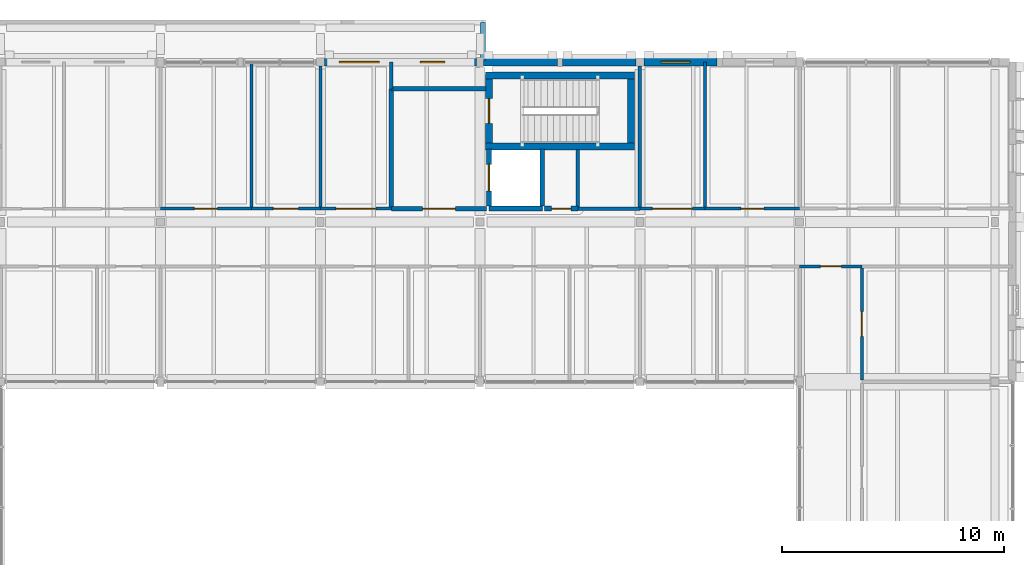
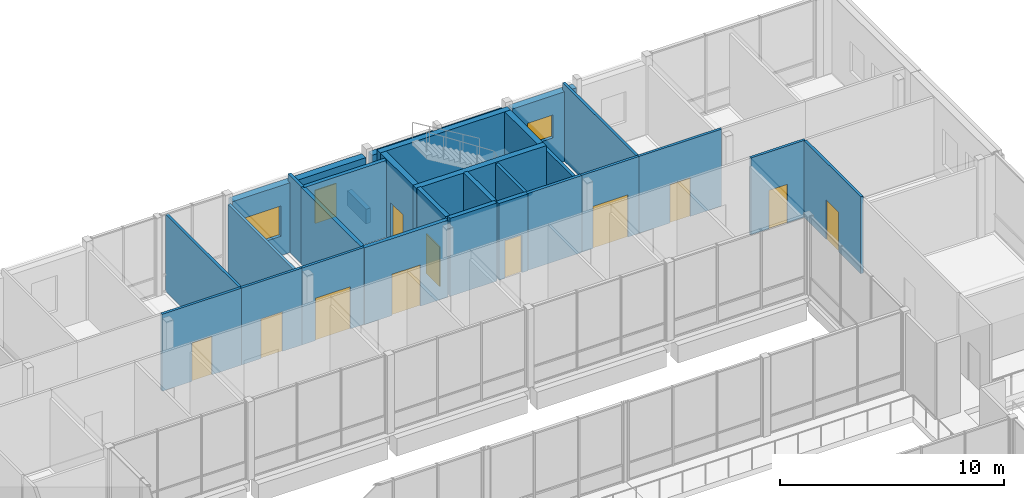
# One storey, part 111 of 146: 30 walls, 11 doors, 3 windows, 14 openings.
"""IFC4 building model written with IfcOpenShell, lengths in metres."""

from ifc_helpers import new_model, si_unit, direction, frame, frame_2d, origin, place, context, subcontext, project, spatial, rectangle, extrude, material, layer, layer_set, type_object, element, fill, save


model = new_model("IFC4")

# Units and contexts
model_context = context("Model", 3, precision=1e-05, world=origin(), true_north=direction((0.0, 1.0)))
body_context = subcontext(model_context, "Body", "Model", "MODEL_VIEW")
ifc_project = project(units=[si_unit("LENGTHUNIT", "METRE"), si_unit("AREAUNIT", "SQUARE_METRE"), si_unit("VOLUMEUNIT", "CUBIC_METRE"), si_unit("PLANEANGLEUNIT", "RADIAN"), si_unit("MASSUNIT", "GRAM", prefix="KILO")], contexts=[model_context])

# Site, building, storey
site_placement = place(None, origin())
site = spatial("IfcSite", under=ifc_project, at=site_placement, CompositionType="ELEMENT")
building_placement = place(site_placement, origin())
building = spatial("IfcBuilding", under=site, at=building_placement, Name="Hawrajan Terrace Health Centre", CompositionType="ELEMENT")
storey_placement = place(building_placement, frame((0.0, 0.0, 4.5)))
storey = spatial("IfcBuildingStorey", under=building, at=storey_placement, Name="L01", CompositionType="ELEMENT", Elevation=4.5)

# Wall, opening, door
ifc_material_1 = material(Name="Gypsum board on acoustic stud framing")
ifc_layer_1 = layer(ifc_material_1, 0.139892578125)
ifc_layer_set_1 = layer_set([ifc_layer_1], Name="Gypsum board on acoustic stud framing")
wall_type_1 = type_object("IfcWallType", Name="ClinicalAcousticWall_140", PredefinedType="PARTITIONING", material=ifc_layer_set_1)
wall_1_placement = place(storey_placement, frame((33.39990234375, 53.199951171875, 0.0), z_axis=(0.0, 0.0, 1.0), x_axis=(1.0, 0.0, 0.0)))
wall_1 = element("IfcWall", 1, at=wall_1_placement, inside=storey, type_object=wall_type_1, Name="Interior wall IW-L01-0585", PredefinedType="PARTITIONING", context=body_context, shape_type="SweptSolid", body=[
    extrude(rectangle(XDim=4.090087890625, YDim=0.139892578125, at=frame_2d((2.044921875, 0.0))), origin(), (0.0, 0.0, 1.0), 4.179931640625),
])
opening_1_placement = place(wall_1_placement, frame((1.52490234375, 0.0, 0.0)))
opening_1 = element("IfcOpeningElement", 2, at=opening_1_placement, cuts=wall_1, Name="Opening D-L01-325", PredefinedType="OPENING", context=body_context, shape_type="SweptSolid", body=[
    extrude(rectangle(XDim=1.0400390625, YDim=2.10009765625, at=frame_2d((0.52001953125, 1.050048828125))), frame((0.0, 0.079833984375, 0.0), z_axis=(0.0, -1.0, 0.0), x_axis=(1.0, 0.0, 0.0)), (0.0, 0.0, 1.0), 0.159912109375),
])
ifc_material_2 = material(Name="Hardwood acoustic clinical door leaf and frame", Category="wood")
door_type_1 = type_object("IfcDoorType", Name="ConsultDoor_1040x2100", OperationType="NOTDEFINED", PredefinedType="DOOR", material=ifc_material_2)
door_1_placement = place(opening_1_placement, origin())
door_1 = element("IfcDoor", 3, at=door_1_placement, inside=storey, type_object=door_type_1, Name="Interior door D-L01-325", OperationType="SINGLE_SWING_LEFT", OverallHeight=2.10009765625, OverallWidth=1.0400390625, PredefinedType="DOOR", context=body_context, shape_type="SweptSolid", body=[
    extrude(rectangle(XDim=1.0400390625, YDim=2.10009765625, at=frame_2d((0.52001953125, 1.050048828125))), frame((0.0, 0.02490234375, 0.0), z_axis=(0.0, -1.0, 0.0), x_axis=(1.0, 0.0, 0.0)), (0.0, 0.0, 1.0), 0.050048828125),
])
fill(opening_1, door_1)

# Wall
wall_2_placement = place(storey_placement, frame((37.489990234375, 53.27001953125, 0.0), z_axis=(0.0, 0.0, 1.0), x_axis=(0.0, 1.0, 0.0)))
element("IfcWall", 4, at=wall_2_placement, inside=storey, type_object=wall_type_1, Name="Interior wall IW-L01-0588", PredefinedType="PARTITIONING", context=body_context, shape_type="SweptSolid", body=[
    extrude(rectangle(XDim=6.530029296875, YDim=0.139892578125, at=frame_2d((3.26513671875, 0.0))), origin(), (0.0, 0.0, 1.0), 4.179931640625),
])

# Wall, opening, door
wall_3_placement = place(storey_placement, frame((37.489990234375, 53.199951171875, 0.0), z_axis=(0.0, 0.0, 1.0), x_axis=(1.0, 0.0, 0.0)))
wall_3 = element("IfcWall", 5, at=wall_3_placement, inside=storey, type_object=wall_type_1, Name="Interior wall IW-L01-0589", PredefinedType="PARTITIONING", context=body_context, shape_type="SweptSolid", body=[
    extrude(rectangle(XDim=3.110107421875, YDim=0.139892578125, at=frame_2d((1.55517578125, 0.0))), origin(), (0.0, 0.0, 1.0), 4.179931640625),
])
opening_2_placement = place(wall_3_placement, frame((0.9951171875, 0.0, 0.0)))
opening_2 = element("IfcOpeningElement", 6, at=opening_2_placement, cuts=wall_3, Name="Opening D-L01-326", PredefinedType="OPENING", context=body_context, shape_type="SweptSolid", body=[
    extrude(rectangle(XDim=1.1201171875, YDim=2.14990234375, at=frame_2d((0.56005859375, 1.074951171875))), frame((0.0, 0.079833984375, 0.0), z_axis=(0.0, -1.0, 0.0), x_axis=(1.0, 0.0, 0.0)), (0.0, 0.0, 1.0), 0.159912109375),
])
door_type_2 = type_object("IfcDoorType", Name="DentalSurgeryDoor_1120x2150", OperationType="NOTDEFINED", PredefinedType="DOOR", material=ifc_material_2)
door_2_placement = place(opening_2_placement, origin())
door_2 = element("IfcDoor", 7, at=door_2_placement, inside=storey, type_object=door_type_2, Name="Interior door D-L01-326", OperationType="SINGLE_SWING_RIGHT", OverallHeight=2.14990234375, OverallWidth=1.1201171875, PredefinedType="DOOR", context=body_context, shape_type="SweptSolid", body=[
    extrude(rectangle(XDim=1.1201171875, YDim=2.14990234375, at=frame_2d((0.56005859375, 1.074951171875))), frame((0.0, 0.02490234375, 0.0), z_axis=(0.0, -1.0, 0.0), x_axis=(1.0, 0.0, 0.0)), (0.0, 0.0, 1.0), 0.050048828125),
])
fill(opening_2, door_2)

# Wall
wall_4_placement = place(storey_placement, frame((40.60009765625, 53.27001953125, 0.0), z_axis=(0.0, 0.0, 1.0), x_axis=(0.0, 1.0, 0.0)))
element("IfcWall", 8, at=wall_4_placement, inside=storey, type_object=wall_type_1, Name="Interior wall IW-L01-0594", PredefinedType="PARTITIONING", context=body_context, shape_type="SweptSolid", body=[
    extrude(rectangle(XDim=6.35009765625, YDim=0.139892578125, at=frame_2d((3.175048828125, 0.0))), origin(), (0.0, 0.0, 1.0), 3.739990234375),
])

# Wall, opening, door
wall_5_placement = place(storey_placement, frame((40.60009765625, 53.199951171875, 0.0), z_axis=(0.0, 0.0, 1.0), x_axis=(1.0, 0.0, 0.0)))
wall_5 = element("IfcWall", 9, at=wall_5_placement, inside=storey, type_object=wall_type_1, Name="Interior wall IW-L01-0595", PredefinedType="PARTITIONING", context=body_context, shape_type="SweptSolid", body=[
    extrude(rectangle(XDim=3.199951171875, YDim=0.139892578125, at=frame_2d((1.60009765625, 0.0))), origin(), (0.0, 0.0, 1.0), 4.179931640625),
])
opening_3_placement = place(wall_5_placement, frame((0.699951171875, 0.0, 0.0)))
opening_3 = element("IfcOpeningElement", 10, at=opening_3_placement, cuts=wall_5, Name="Opening D-L01-329", PredefinedType="OPENING", context=body_context, shape_type="SweptSolid", body=[
    extrude(rectangle(XDim=1.800048828125, YDim=2.300048828125, at=frame_2d((0.89990234375, 1.14990234375))), frame((0.0, 0.079833984375, 0.0), z_axis=(0.0, -1.0, 0.0), x_axis=(1.0, 0.0, 0.0)), (0.0, 0.0, 1.0), 0.159912109375),
])
door_type_3 = type_object("IfcDoorType", Name="EducationHallDoor_1800x2300", OperationType="DOUBLE_DOOR_SINGLE_SWING", PredefinedType="DOOR", material=ifc_material_2)
door_3_placement = place(opening_3_placement, origin())
door_3 = element("IfcDoor", 11, at=door_3_placement, inside=storey, type_object=door_type_3, Name="Interior door D-L01-329", OperationType="DOUBLE_DOOR_SINGLE_SWING", OverallHeight=2.300048828125, OverallWidth=1.800048828125, PredefinedType="DOOR", context=body_context, shape_type="SweptSolid", body=[
    extrude(rectangle(XDim=1.800048828125, YDim=2.300048828125, at=frame_2d((0.89990234375, 1.14990234375))), frame((0.0, 0.02490234375, 0.0), z_axis=(0.0, -1.0, 0.0), x_axis=(1.0, 0.0, 0.0)), (0.0, 0.0, 1.0), 0.050048828125),
])
fill(opening_3, door_3)

wall_6_placement = place(storey_placement, frame((55.0, 53.199951171875, 0.0), z_axis=(0.0, 0.0, 1.0), x_axis=(1.0, 0.0, 0.0)))
wall_6 = element("IfcWall", 12, at=wall_6_placement, inside=storey, type_object=wall_type_1, Name="Interior wall IW-L01-0616", PredefinedType="PARTITIONING", context=body_context, shape_type="SweptSolid", body=[
    extrude(rectangle(XDim=2.929931640625, YDim=0.139892578125, at=frame_2d((1.46484375, 0.0))), origin(), (0.0, 0.0, 1.0), 4.179931640625),
])
opening_4_placement = place(wall_6_placement, frame((0.56494140625, 0.0, 0.0)))
opening_4 = element("IfcOpeningElement", 13, at=opening_4_placement, cuts=wall_6, Name="Opening D-L01-334", PredefinedType="OPENING", context=body_context, shape_type="SweptSolid", body=[
    extrude(rectangle(XDim=1.800048828125, YDim=2.300048828125, at=frame_2d((0.89990234375, 1.14990234375))), frame((0.0, 0.079833984375, 0.0), z_axis=(0.0, -1.0, 0.0), x_axis=(1.0, 0.0, 0.0)), (0.0, 0.0, 1.0), 0.159912109375),
])
door_4_placement = place(opening_4_placement, origin())
door_4 = element("IfcDoor", 14, at=door_4_placement, inside=storey, type_object=door_type_3, Name="Interior door D-L01-334", OperationType="DOUBLE_DOOR_SINGLE_SWING", OverallHeight=2.300048828125, OverallWidth=1.800048828125, PredefinedType="DOOR", context=body_context, shape_type="SweptSolid", body=[
    extrude(rectangle(XDim=1.800048828125, YDim=2.300048828125, at=frame_2d((0.89990234375, 1.14990234375))), frame((0.0, 0.02490234375, 0.0), z_axis=(0.0, -1.0, 0.0), x_axis=(1.0, 0.0, 0.0)), (0.0, 0.0, 1.0), 0.050048828125),
])
fill(opening_4, door_4)

# Wall
wall_7_placement = place(storey_placement, frame((57.929931640625, 53.27001953125, 0.0), z_axis=(0.0, 0.0, 1.0), x_axis=(0.0, 1.0, 0.0)))
element("IfcWall", 15, at=wall_7_placement, inside=storey, type_object=wall_type_1, Name="Interior wall IW-L01-0618", PredefinedType="PARTITIONING", context=body_context, shape_type="SweptSolid", body=[
    extrude(rectangle(XDim=6.530029296875, YDim=0.139892578125, at=frame_2d((3.26513671875, 0.0))), origin(), (0.0, 0.0, 1.0), 4.179931640625),
])

# Wall, opening, door
wall_8_placement = place(storey_placement, frame((57.929931640625, 53.199951171875, 0.0), z_axis=(0.0, 0.0, 1.0), x_axis=(1.0, 0.0, 0.0)))
wall_8 = element("IfcWall", 16, at=wall_8_placement, inside=storey, type_object=wall_type_1, Name="Interior wall IW-L01-0619", PredefinedType="PARTITIONING", context=body_context, shape_type="SweptSolid", body=[
    extrude(rectangle(XDim=4.27001953125, YDim=0.139892578125, at=frame_2d((2.135009765625, 0.0))), origin(), (0.0, 0.0, 1.0), 4.179931640625),
])
opening_5_placement = place(wall_8_placement, frame((1.614990234375, 0.0, 0.0)))
opening_5 = element("IfcOpeningElement", 17, at=opening_5_placement, cuts=wall_8, Name="Opening D-L01-335", PredefinedType="OPENING", context=body_context, shape_type="SweptSolid", body=[
    extrude(rectangle(XDim=1.0400390625, YDim=2.10009765625, at=frame_2d((0.52001953125, 1.050048828125))), frame((0.0, 0.079833984375, 0.0), z_axis=(0.0, -1.0, 0.0), x_axis=(1.0, 0.0, 0.0)), (0.0, 0.0, 1.0), 0.159912109375),
])
door_5_placement = place(opening_5_placement, origin())
door_5 = element("IfcDoor", 18, at=door_5_placement, inside=storey, type_object=door_type_1, Name="Interior door D-L01-335", OperationType="SINGLE_SWING_LEFT", OverallHeight=2.10009765625, OverallWidth=1.0400390625, PredefinedType="DOOR", context=body_context, shape_type="SweptSolid", body=[
    extrude(rectangle(XDim=1.0400390625, YDim=2.10009765625, at=frame_2d((0.52001953125, 1.050048828125))), frame((0.0, 0.02490234375, 0.0), z_axis=(0.0, -1.0, 0.0), x_axis=(1.0, 0.0, 0.0)), (0.0, 0.0, 1.0), 0.050048828125),
])
fill(opening_5, door_5)

wall_9_placement = place(storey_placement, frame((62.199951171875, 50.60009765625, 0.0), z_axis=(0.0, 0.0, 1.0), x_axis=(1.0, 0.0, 0.0)))
wall_9 = element("IfcWall", 19, at=wall_9_placement, inside=storey, type_object=wall_type_1, Name="Interior wall IW-L01-0628", PredefinedType="PARTITIONING", context=body_context, shape_type="SweptSolid", body=[
    extrude(rectangle(XDim=2.800048828125, YDim=0.139892578125, at=frame_2d((1.39990234375, 0.0))), origin(), (0.0, 0.0, 1.0), 4.179931640625),
])
opening_6_placement = place(wall_9_placement, frame((0.925048828125, 0.0, 0.0)))
opening_6 = element("IfcOpeningElement", 20, at=opening_6_placement, cuts=wall_9, Name="Opening D-L01-259", PredefinedType="OPENING", context=body_context, shape_type="SweptSolid", body=[
    extrude(rectangle(XDim=0.949951171875, YDim=2.10009765625, at=frame_2d((0.47509765625, 1.050048828125))), frame((0.0, 0.079833984375, 0.0), z_axis=(0.0, -1.0, 0.0), x_axis=(1.0, 0.0, 0.0)), (0.0, 0.0, 1.0), 0.159912109375),
])
door_type_4 = type_object("IfcDoorType", Name="AccessibleWCDoor_950x2100", OperationType="NOTDEFINED", PredefinedType="DOOR", material=ifc_material_2)
door_6_placement = place(opening_6_placement, origin())
door_6 = element("IfcDoor", 21, at=door_6_placement, inside=storey, type_object=door_type_4, Name="Interior door D-L01-259", OperationType="SINGLE_SWING_LEFT", OverallHeight=2.10009765625, OverallWidth=0.949951171875, PredefinedType="DOOR", context=body_context, shape_type="SweptSolid", body=[
    extrude(rectangle(XDim=0.949951171875, YDim=2.10009765625, at=frame_2d((0.47509765625, 1.050048828125))), frame((0.0, 0.02490234375, 0.0), z_axis=(0.0, -1.0, 0.0), x_axis=(1.0, 0.0, 0.0)), (0.0, 0.0, 1.0), 0.050048828125),
])
fill(opening_6, door_6)

wall_10_placement = place(storey_placement, frame((65.0, 45.469970703125, 0.0), z_axis=(0.0, 0.0, 1.0), x_axis=(0.0, 1.0, 0.0)))
wall_10 = element("IfcWall", 22, at=wall_10_placement, inside=storey, type_object=wall_type_1, Name="Interior wall IW-L01-0643", PredefinedType="PARTITIONING", context=body_context, shape_type="SweptSolid", body=[
    extrude(rectangle(XDim=5.06005859375, YDim=0.139892578125, at=frame_2d((2.530029296875, 0.0))), origin(), (0.0, 0.0, 1.0), 4.179931640625),
])
opening_7_placement = place(wall_10_placement, frame((1.969970703125, 0.0, 0.0)))
opening_7 = element("IfcOpeningElement", 23, at=opening_7_placement, cuts=wall_10, Name="Opening D-L01-336", PredefinedType="OPENING", context=body_context, shape_type="SweptSolid", body=[
    extrude(rectangle(XDim=1.1201171875, YDim=2.14990234375, at=frame_2d((0.56005859375, 1.074951171875))), frame((0.0, 0.079833984375, 0.0), z_axis=(0.0, -1.0, 0.0), x_axis=(1.0, 0.0, 0.0)), (0.0, 0.0, 1.0), 0.159912109375),
])
door_7_placement = place(opening_7_placement, origin())
door_7 = element("IfcDoor", 24, at=door_7_placement, inside=storey, type_object=door_type_2, Name="Interior door D-L01-336", OperationType="SINGLE_SWING_RIGHT", OverallHeight=2.14990234375, OverallWidth=1.1201171875, PredefinedType="DOOR", context=body_context, shape_type="SweptSolid", body=[
    extrude(rectangle(XDim=1.1201171875, YDim=2.14990234375, at=frame_2d((0.56005859375, 1.074951171875))), frame((0.0, 0.02490234375, 0.0), z_axis=(0.0, -1.0, 0.0), x_axis=(1.0, 0.0, 0.0)), (0.0, 0.0, 1.0), 0.050048828125),
])
fill(opening_7, door_7)

# Walls
ifc_material_3 = material(Name="Precast concrete C40/50", Category="concrete")
ifc_layer_2 = layer(ifc_material_3, 0.340087890625)
ifc_layer_set_2 = layer_set([ifc_layer_2], Name="Precast concrete C40/50")
wall_type_2 = type_object("IfcWallType", Name="CoralAshlarWall_340", PredefinedType="SOLIDWALL", material=ifc_layer_set_2)
wall_11_placement = place(storey_placement, frame((47.9599609375, 59.800048828125, 0.0), z_axis=(0.0, 0.0, 1.0), x_axis=(1.0, 0.0, 0.0)))
element("IfcWall", 25, at=wall_11_placement, inside=storey, type_object=wall_type_2, Name="Exterior wall EW-L01-H06-07-1", PredefinedType="SOLIDWALL", context=body_context, shape_type="SweptSolid", body=[
    extrude(rectangle(XDim=3.320068359375, YDim=0.340087890625, at=frame_2d((1.66015625, 0.0))), origin(), (0.0, 0.0, 1.0), 3.800048828125),
])
wall_12_placement = place(storey_placement, frame((51.52001953125, 59.800048828125, 0.0), z_axis=(0.0, 0.0, 1.0), x_axis=(1.0, 0.0, 0.0)))
element("IfcWall", 26, at=wall_12_placement, inside=storey, type_object=wall_type_2, Name="Exterior wall EW-L01-H06-07-2", PredefinedType="SOLIDWALL", context=body_context, shape_type="SweptSolid", body=[
    extrude(rectangle(XDim=3.300048828125, YDim=0.340087890625, at=frame_2d((1.64990234375, 0.0))), origin(), (0.0, 0.0, 1.0), 3.800048828125),
])

# Wall, openings, windows
ifc_layer_3 = layer(ifc_material_3, 0.360107421875)
ifc_layer_set_3 = layer_set([ifc_layer_3], Name="Precast concrete C40/50")
wall_type_3 = type_object("IfcWallType", Name="CoralPodiumWall_360", PredefinedType="SOLIDWALL", material=ifc_layer_set_3)
wall_13_placement = place(storey_placement, frame((40.780029296875, 59.800048828125, 0.0), z_axis=(0.0, 0.0, 1.0), x_axis=(1.0, 0.0, 0.0)))
wall_13 = element("IfcWall", 27, at=wall_13_placement, inside=storey, type_object=wall_type_3, Name="Exterior wall EW-L01-H05-07-1", PredefinedType="SOLIDWALL", context=body_context, shape_type="SweptSolid", body=[
    extrude(rectangle(XDim=6.85986328125, YDim=0.360107421875, at=frame_2d((3.429931640625, 0.0))), origin(), (0.0, 0.0, 1.0), 3.800048828125),
])
opening_8_placement = place(wall_13_placement, frame((0.659912109375, 0.0, 1.050048828125)))
opening_8 = element("IfcOpeningElement", 28, at=opening_8_placement, cuts=wall_13, Name="Opening W-L01-072", PredefinedType="OPENING", context=body_context, shape_type="SweptSolid", body=[
    extrude(rectangle(XDim=1.820068359375, YDim=1.64990234375, at=frame_2d((0.91015625, 0.824951171875))), frame((0.0, 0.18994140625, 0.0), z_axis=(0.0, -1.0, 0.0), x_axis=(1.0, 0.0, 0.0)), (0.0, 0.0, 1.0), 0.380126953125),
])
opening_9_placement = place(wall_13_placement, frame((4.330078125, 0.0, 1.0)))
opening_9 = element("IfcOpeningElement", 29, at=opening_9_placement, cuts=wall_13, Name="Opening W-L01-073", PredefinedType="OPENING", context=body_context, shape_type="SweptSolid", body=[
    extrude(rectangle(XDim=1.10009765625, YDim=1.800048828125, at=frame_2d((0.550048828125, 0.89990234375))), frame((0.0, 0.18994140625, 0.0), z_axis=(0.0, -1.0, 0.0), x_axis=(1.0, 0.0, 0.0)), (0.0, 0.0, 1.0), 0.380126953125),
])
ifc_material_4 = material(Name="Anodized bronze frame with double low-E glazing", Category="glass")
window_type_1 = type_object("IfcWindowType", Name="FacadeWindow_1100x1800", PartitioningType="SINGLE_PANEL", PredefinedType="WINDOW", material=ifc_material_4)
window_1_placement = place(opening_9_placement, origin())
window_1 = element("IfcWindow", 30, at=window_1_placement, inside=storey, type_object=window_type_1, Name="Window W-L01-073", OverallHeight=1.800048828125, OverallWidth=1.10009765625, PartitioningType="SINGLE_PANEL", PredefinedType="WINDOW", context=body_context, shape_type="SweptSolid", body=[
    extrude(rectangle(XDim=1.10009765625, YDim=1.800048828125, at=frame_2d((0.550048828125, 0.89990234375))), frame((0.0, 0.030029296875, 0.0), z_axis=(0.0, -1.0, 0.0), x_axis=(1.0, 0.0, 0.0)), (0.0, 0.0, 1.0), 0.06005859375),
])
fill(opening_9, window_1)
window_type_2 = type_object("IfcWindowType", Name="FacadeWindow_1820x1650", PartitioningType="DOUBLE_PANEL_VERTICAL", PredefinedType="WINDOW", material=ifc_material_4)
window_2_placement = place(opening_8_placement, origin())
window_2 = element("IfcWindow", 31, at=window_2_placement, inside=storey, type_object=window_type_2, Name="Window W-L01-072", OverallHeight=1.64990234375, OverallWidth=1.820068359375, PartitioningType="DOUBLE_PANEL_VERTICAL", PredefinedType="WINDOW", context=body_context, shape_type="SweptSolid", body=[
    extrude(rectangle(XDim=1.820068359375, YDim=1.64990234375, at=frame_2d((0.91015625, 0.824951171875))), frame((0.0, 0.030029296875, 0.0), z_axis=(0.0, -1.0, 0.0), x_axis=(1.0, 0.0, 0.0)), (0.0, 0.0, 1.0), 0.06005859375),
])
fill(opening_8, window_2)

# Wall, opening, window
wall_14_placement = place(storey_placement, frame((55.179931640625, 59.800048828125, 0.0), z_axis=(0.0, 0.0, 1.0), x_axis=(1.0, 0.0, 0.0)))
wall_14 = element("IfcWall", 32, at=wall_14_placement, inside=storey, type_object=wall_type_3, Name="Exterior wall EW-L01-H07-07-1", PredefinedType="SOLIDWALL", context=body_context, shape_type="SweptSolid", body=[
    extrude(rectangle(XDim=3.300048828125, YDim=0.360107421875, at=frame_2d((1.64990234375, 0.0))), origin(), (0.0, 0.0, 1.0), 3.800048828125),
])
opening_10_placement = place(wall_14_placement, frame((0.775146484375, 0.0, 1.5)))
opening_10 = element("IfcOpeningElement", 33, at=opening_10_placement, cuts=wall_14, Name="Opening W-L01-078", PredefinedType="OPENING", context=body_context, shape_type="SweptSolid", body=[
    extrude(rectangle(XDim=1.320068359375, YDim=1.25, at=frame_2d((0.66015625, 0.625))), frame((0.0, 0.18994140625, 0.0), z_axis=(0.0, -1.0, 0.0), x_axis=(1.0, 0.0, 0.0)), (0.0, 0.0, 1.0), 0.380126953125),
])
window_type_3 = type_object("IfcWindowType", Name="FacadeWindow_1320x1250", PartitioningType="SINGLE_PANEL", PredefinedType="WINDOW", material=ifc_material_4)
window_3_placement = place(opening_10_placement, origin())
window_3 = element("IfcWindow", 34, at=window_3_placement, inside=storey, type_object=window_type_3, Name="Window W-L01-078", OverallHeight=1.25, OverallWidth=1.320068359375, PartitioningType="SINGLE_PANEL", PredefinedType="WINDOW", context=body_context, shape_type="SweptSolid", body=[
    extrude(rectangle(XDim=1.320068359375, YDim=1.25, at=frame_2d((0.66015625, 0.625))), frame((0.0, 0.030029296875, 0.0), z_axis=(0.0, -1.0, 0.0), x_axis=(1.0, 0.0, 0.0)), (0.0, 0.0, 1.0), 0.06005859375),
])
fill(opening_10, window_3)

# Walls
ifc_material_5 = material(Name="Concrete C40/50", Category="concrete")
ifc_layer_4 = layer(ifc_material_5, 0.300048828125)
ifc_layer_set_4 = layer_set([ifc_layer_4], Name="Concrete C40/50")
wall_type_4 = type_object("IfcWallType", Name="CoreShearWall_RC300", PredefinedType="SHEAR", material=ifc_layer_set_4)
for number, where, z_axis, x_axis, name in (
    (35, (48.050048828125, 56.0, 0.0), (0.0, 0.0, 1.0), (1.0, 0.0, 0.0), "Core shear wall SW-C2-L01-S"),
    (36, (48.050048828125, 59.199951171875, 0.0), (0.0, 0.0, 1.0), (1.0, 0.0, 0.0), "Core shear wall SW-C2-L01-N"),
):
    element("IfcWall", number, at=place(storey_placement, frame(where, z_axis=z_axis, x_axis=x_axis)), inside=storey, type_object=wall_type_4, Name=name, PredefinedType="SHEAR", context=body_context, shape_type="SweptSolid", body=[
        extrude(rectangle(XDim=6.699951171875, YDim=0.300048828125, at=frame_2d((3.35009765625, 0.0))), origin(), (0.0, 0.0, 1.0), 4.25),
    ])

# Wall, opening, door
wall_15_placement = place(storey_placement, frame((48.199951171875, 56.14990234375, 0.0), z_axis=(0.0, 0.0, 1.0), x_axis=(0.0, 1.0, 0.0)))
wall_15 = element("IfcWall", 37, at=wall_15_placement, inside=storey, type_object=wall_type_4, Name="Core shear wall SW-C2-L01-W", PredefinedType="SHEAR", context=body_context, shape_type="SweptSolid", body=[
    extrude(rectangle(XDim=2.900146484375, YDim=0.300048828125, at=frame_2d((1.4501953125, 0.0))), origin(), (0.0, 0.0, 1.0), 4.25),
])
opening_11_placement = place(wall_15_placement, frame((0.889892578125, 0.0, 0.0)))
opening_11 = element("IfcOpeningElement", 38, at=opening_11_placement, cuts=wall_15, Name="Opening D-L01-240", PredefinedType="OPENING", context=body_context, shape_type="SweptSolid", body=[
    extrude(rectangle(XDim=1.1201171875, YDim=2.10009765625, at=frame_2d((0.56005859375, 1.050048828125))), frame((0.0, 0.159912109375, 0.0), z_axis=(0.0, -1.0, 0.0), x_axis=(1.0, 0.0, 0.0)), (0.0, 0.0, 1.0), 0.320068359375),
])
ifc_material_6 = material(Name="Timber-veneered acoustic fire-resisting door assembly", Category="wood")
door_type_5 = type_object("IfcDoorType", Name="CoreStairDoor_1120x2100", OperationType="NOTDEFINED", PredefinedType="DOOR", material=ifc_material_6)
door_8_placement = place(opening_11_placement, origin())
door_8 = element("IfcDoor", 39, at=door_8_placement, inside=storey, type_object=door_type_5, Name="Interior door D-L01-240", OperationType="SINGLE_SWING_RIGHT", OverallHeight=2.10009765625, OverallWidth=1.1201171875, PredefinedType="DOOR", context=body_context, shape_type="SweptSolid", body=[
    extrude(rectangle(XDim=1.1201171875, YDim=2.10009765625, at=frame_2d((0.56005859375, 1.050048828125))), frame((0.0, 0.02490234375, 0.0), z_axis=(0.0, -1.0, 0.0), x_axis=(1.0, 0.0, 0.0)), (0.0, 0.0, 1.0), 0.050048828125),
])
fill(opening_11, door_8)

# Walls
wall_16_placement = place(storey_placement, frame((54.60009765625, 56.14990234375, 0.0), z_axis=(0.0, 0.0, 1.0), x_axis=(0.0, 1.0, 0.0)))
element("IfcWall", 40, at=wall_16_placement, inside=storey, type_object=wall_type_4, Name="Core shear wall SW-C2-L01-E", PredefinedType="SHEAR", context=body_context, shape_type="SweptSolid", body=[
    extrude(rectangle(XDim=2.900146484375, YDim=0.300048828125, at=frame_2d((1.4501953125, 0.0))), origin(), (0.0, 0.0, 1.0), 4.25),
])
ifc_layer_5 = layer(ifc_material_1, 0.159912109375)
ifc_layer_set_5 = layer_set([ifc_layer_5], Name="Gypsum board on acoustic stud framing")
wall_type_5 = type_object("IfcWallType", Name="CorridorFireWall_160", PredefinedType="PARTITIONING", material=ifc_layer_set_5)
wall_17_placement = place(storey_placement, frame((52.199951171875, 53.27001953125, 0.0), z_axis=(0.0, 0.0, 1.0), x_axis=(0.0, 1.0, 0.0)))
element("IfcWall", 41, at=wall_17_placement, inside=storey, type_object=wall_type_5, Name="Interior wall IW-L01-0842", PredefinedType="PARTITIONING", context=body_context, shape_type="SweptSolid", body=[
    extrude(rectangle(XDim=2.590087890625, YDim=0.159912109375, at=frame_2d((1.294921875, 0.0))), origin(), (0.0, 0.0, 1.0), 4.179931640625),
])
wall_18_placement = place(storey_placement, frame((55.0, 53.199951171875, 0.0), z_axis=(0.0, 0.0, 1.0), x_axis=(-1.0, 0.0, 0.0)))
element("IfcWall", 42, at=wall_18_placement, inside=storey, type_object=wall_type_5, Name="Interior wall IW-L01-0856", PredefinedType="PARTITIONING", context=body_context, shape_type="SweptSolid", body=[
    extrude(rectangle(XDim=2.800048828125, YDim=0.159912109375, at=frame_2d((1.39990234375, 0.0))), origin(), (0.0, 0.0, 1.0), 4.179931640625),
])
wall_19_placement = place(storey_placement, frame((43.800048828125, 58.60009765625, 0.0), z_axis=(0.0, 0.0, 1.0), x_axis=(0.0, 1.0, 0.0)))
element("IfcWall", 43, at=wall_19_placement, inside=storey, type_object=wall_type_5, Name="Interior wall IW-L01-0937", PredefinedType="PARTITIONING", context=body_context, shape_type="SweptSolid", body=[
    extrude(rectangle(XDim=1.199951171875, YDim=0.159912109375, at=frame_2d((0.60009765625, 0.0))), origin(), (0.0, 0.0, 1.0), 4.179931640625),
])
wall_20_placement = place(storey_placement, frame((55.0, 53.27001953125, 0.0), z_axis=(0.0, 0.0, 1.0), x_axis=(0.0, 1.0, 0.0)))
element("IfcWall", 44, at=wall_20_placement, inside=storey, type_object=wall_type_5, Name="Interior wall IW-L01-0938", PredefinedType="PARTITIONING", context=body_context, shape_type="SweptSolid", body=[
    extrude(rectangle(XDim=6.35009765625, YDim=0.159912109375, at=frame_2d((3.175048828125, 0.0))), origin(), (0.0, 0.0, 1.0), 3.739990234375),
])
ifc_material_7 = material(Name="Cross-laminated timber CLT C24", Category="wood")
ifc_layer_6 = layer(ifc_material_7, 0.199951171875)
ifc_layer_set_6 = layer_set([ifc_layer_6], Name="Cross-laminated timber CLT C24")
wall_type_6 = type_object("IfcWallType", Name="FireCompartmentWall_200", PredefinedType="PARTITIONING", material=ifc_layer_set_6)
wall_21_placement = place(storey_placement, frame((43.800048828125, 53.27001953125, 0.0), z_axis=(0.0, 0.0, 1.0), x_axis=(0.0, 1.0, 0.0)))
element("IfcWall", 45, at=wall_21_placement, inside=storey, type_object=wall_type_6, Name="Interior wall IW-L01-0596", PredefinedType="PARTITIONING", context=body_context, shape_type="SweptSolid", body=[
    extrude(rectangle(XDim=5.330078125, YDim=0.199951171875, at=frame_2d((2.6650390625, 0.0))), origin(), (0.0, 0.0, 1.0), 4.179931640625),
])

# Wall, opening, door
wall_22_placement = place(storey_placement, frame((43.800048828125, 53.199951171875, 0.0), z_axis=(0.0, 0.0, 1.0), x_axis=(1.0, 0.0, 0.0)))
wall_22 = element("IfcWall", 46, at=wall_22_placement, inside=storey, type_object=wall_type_6, Name="Interior wall IW-L01-0597", PredefinedType="PARTITIONING", context=body_context, shape_type="SweptSolid", body=[
    extrude(rectangle(XDim=4.2900390625, YDim=0.199951171875, at=frame_2d((2.14501953125, 0.0))), origin(), (0.0, 0.0, 1.0), 4.179931640625),
])
opening_12_placement = place(wall_22_placement, frame((1.405029296875, 0.0, 0.0)))
opening_12 = element("IfcOpeningElement", 47, at=opening_12_placement, cuts=wall_22, Name="Opening D-L01-249", PredefinedType="OPENING", context=body_context, shape_type="SweptSolid", body=[
    extrude(rectangle(XDim=1.47998046875, YDim=2.25, at=frame_2d((0.739990234375, 1.125))), frame((0.0, 0.10986328125, 0.0), z_axis=(0.0, -1.0, 0.0), x_axis=(1.0, 0.0, 0.0)), (0.0, 0.0, 1.0), 0.219970703125),
])
door_type_6 = type_object("IfcDoorType", Name="FFLobbyDoor_1480x2250", OperationType="DOUBLE_DOOR_SINGLE_SWING", PredefinedType="DOOR", material=ifc_material_6)
door_9_placement = place(opening_12_placement, origin())
door_9 = element("IfcDoor", 48, at=door_9_placement, inside=storey, type_object=door_type_6, Name="Interior door D-L01-249", OperationType="DOUBLE_DOOR_SINGLE_SWING", OverallHeight=2.25, OverallWidth=1.47998046875, PredefinedType="DOOR", context=body_context, shape_type="SweptSolid", body=[
    extrude(rectangle(XDim=1.47998046875, YDim=2.25, at=frame_2d((0.739990234375, 1.125))), frame((0.0, 0.02490234375, 0.0), z_axis=(0.0, -1.0, 0.0), x_axis=(1.0, 0.0, 0.0)), (0.0, 0.0, 1.0), 0.050048828125),
])
fill(opening_12, door_9)

# Walls
wall_23_placement = place(storey_placement, frame((48.06005859375, 58.60009765625, 0.0), z_axis=(0.0, 0.0, 1.0), x_axis=(-1.0, 0.0, 0.0)))
element("IfcWall", 49, at=wall_23_placement, inside=storey, type_object=wall_type_6, Name="Interior wall IW-L01-0846", PredefinedType="PARTITIONING", context=body_context, shape_type="SweptSolid", body=[
    extrude(rectangle(XDim=4.260009765625, YDim=0.199951171875, at=frame_2d((2.1298828125, 0.0))), origin(), (0.0, 0.0, 1.0), 4.179931640625),
])
ifc_layer_7 = layer(ifc_material_5, 0.219970703125)
ifc_layer_set_7 = layer_set([ifc_layer_7], Name="Concrete C40/50")
wall_type_7 = type_object("IfcWallType", Name="ShaftWall_RC220", PredefinedType="SOLIDWALL", material=ifc_layer_set_7)
wall_24_placement = place(storey_placement, frame((48.199951171875, 53.199951171875, 0.0), z_axis=(0.0, 0.0, 1.0), x_axis=(1.0, 0.0, 0.0)))
element("IfcWall", 50, at=wall_24_placement, inside=storey, type_object=wall_type_7, Name="Lift shaft wall LW-LC-03-L01-S", PredefinedType="SOLIDWALL", context=body_context, shape_type="SweptSolid", body=[
    extrude(rectangle(XDim=2.400146484375, YDim=0.219970703125, at=frame_2d((1.2001953125, 0.0))), origin(), (0.0, 0.0, 1.0), 4.25),
])

# Wall, opening, door
wall_25_placement = place(storey_placement, frame((48.199951171875, 53.31005859375, 0.0), z_axis=(0.0, 0.0, 1.0), x_axis=(0.0, 1.0, 0.0)))
wall_25 = element("IfcWall", 51, at=wall_25_placement, inside=storey, type_object=wall_type_7, Name="Lift shaft wall LW-LC-03-L01-W", PredefinedType="SOLIDWALL", context=body_context, shape_type="SweptSolid", body=[
    extrude(rectangle(XDim=2.579833984375, YDim=0.219970703125, at=frame_2d((1.2900390625, 0.0))), origin(), (0.0, 0.0, 1.0), 4.25),
])
opening_13_placement = place(wall_25_placement, frame((0.68994140625, 0.0, 0.0)))
opening_13 = element("IfcOpeningElement", 52, at=opening_13_placement, cuts=wall_25, Name="Opening LD-L01-LC-03", PredefinedType="OPENING", context=body_context, shape_type="SweptSolid", body=[
    extrude(rectangle(XDim=1.199951171875, YDim=2.14990234375, at=frame_2d((0.60009765625, 1.074951171875))), frame((0.0, 0.119873046875, 0.0), z_axis=(0.0, -1.0, 0.0), x_axis=(1.0, 0.0, 0.0)), (0.0, 0.0, 1.0), 0.239990234375),
])
ifc_material_8 = material(Name="Brushed bronze stainless-steel sliding lift landing door", Category="steel")
door_type_7 = type_object("IfcDoorType", Name="LiftLandingDoor_1200x2150", OperationType="SLIDING_TO_LEFT", PredefinedType="DOOR", material=ifc_material_8)
door_10_placement = place(opening_13_placement, origin())
door_10 = element("IfcDoor", 53, at=door_10_placement, inside=storey, type_object=door_type_7, Name="Lift landing door LD-L01-LC-03", OperationType="SLIDING_TO_LEFT", OverallHeight=2.14990234375, OverallWidth=1.199951171875, PredefinedType="DOOR", context=body_context, shape_type="SweptSolid", body=[
    extrude(rectangle(XDim=1.199951171875, YDim=2.14990234375, at=frame_2d((0.60009765625, 1.074951171875))), frame((0.0, 0.02490234375, 0.0), z_axis=(0.0, -1.0, 0.0), x_axis=(1.0, 0.0, 0.0)), (0.0, 0.0, 1.0), 0.050048828125),
])
fill(opening_13, door_10)

# Wall
wall_26_placement = place(storey_placement, frame((50.60009765625, 53.31005859375, 0.0), z_axis=(0.0, 0.0, 1.0), x_axis=(0.0, 1.0, 0.0)))
element("IfcWall", 54, at=wall_26_placement, inside=storey, type_object=wall_type_7, Name="Lift shaft wall LW-LC-03-L01-E", PredefinedType="SOLIDWALL", context=body_context, shape_type="SweptSolid", body=[
    extrude(rectangle(XDim=2.579833984375, YDim=0.219970703125, at=frame_2d((1.2900390625, 0.0))), origin(), (0.0, 0.0, 1.0), 4.25),
])

# Wall, opening, door
wall_27_placement = place(storey_placement, frame((50.7099609375, 53.199951171875, 0.0), z_axis=(0.0, 0.0, 1.0), x_axis=(1.0, 0.0, 0.0)))
wall_27 = element("IfcWall", 55, at=wall_27_placement, inside=storey, type_object=wall_type_7, Name="Interior wall IW-L01-0605", PredefinedType="SOLIDWALL", context=body_context, shape_type="SweptSolid", body=[
    extrude(rectangle(XDim=1.489990234375, YDim=0.219970703125, at=frame_2d((0.7451171875, 0.0))), origin(), (0.0, 0.0, 1.0), 4.179931640625),
])
opening_14_placement = place(wall_27_placement, frame((0.304931640625, 0.0, 0.0)))
opening_14 = element("IfcOpeningElement", 56, at=opening_14_placement, cuts=wall_27, Name="Opening D-L01-297", PredefinedType="OPENING", context=body_context, shape_type="SweptSolid", body=[
    extrude(rectangle(XDim=0.8798828125, YDim=2.050048828125, at=frame_2d((0.43994140625, 1.02490234375))), frame((0.0, 0.119873046875, 0.0), z_axis=(0.0, -1.0, 0.0), x_axis=(1.0, 0.0, 0.0)), (0.0, 0.0, 1.0), 0.239990234375),
])
door_type_8 = type_object("IfcDoorType", Name="RiserAccessDoor_880x2050", OperationType="NOTDEFINED", PredefinedType="DOOR", material=ifc_material_6)
door_11_placement = place(opening_14_placement, origin())
door_11 = element("IfcDoor", 57, at=door_11_placement, inside=storey, type_object=door_type_8, Name="Service riser access door D-L01-297", OperationType="SINGLE_SWING_LEFT", OverallHeight=2.050048828125, OverallWidth=0.8798828125, PredefinedType="DOOR", context=body_context, shape_type="SweptSolid", body=[
    extrude(rectangle(XDim=0.8798828125, YDim=2.050048828125, at=frame_2d((0.43994140625, 1.02490234375))), frame((0.0, 0.02490234375, 0.0), z_axis=(0.0, -1.0, 0.0), x_axis=(1.0, 0.0, 0.0)), (0.0, 0.0, 1.0), 0.050048828125),
])
fill(opening_14, door_11)

# Wall
ifc_layer_8 = layer(ifc_material_3, 0.22998046875)
ifc_layer_set_8 = layer_set([ifc_layer_8], Name="Precast concrete C40/50")
wall_type_8 = type_object("IfcWallType", Name="ZigguratParapet_230", PredefinedType="PARAPET", material=ifc_layer_set_8)
wall_28_placement = place(storey_placement, frame((47.919921875, 59.89990234375, -0.050048828125), z_axis=(0.0, 0.0, 1.0), x_axis=(0.0, 1.0, 0.0)))
element("IfcWall", 58, at=wall_28_placement, inside=storey, type_object=wall_type_8, Name="Stepped Art Deco parapet PAR-ARC-N-E", PredefinedType="PARAPET", context=body_context, shape_type="SweptSolid", body=[
    extrude(rectangle(XDim=1.68017578125, YDim=0.22998046875, at=frame_2d((0.840087890625, 0.0))), origin(), (0.0, 0.0, 1.0), 0.800048828125),
])

save(model, "model.ifc")
